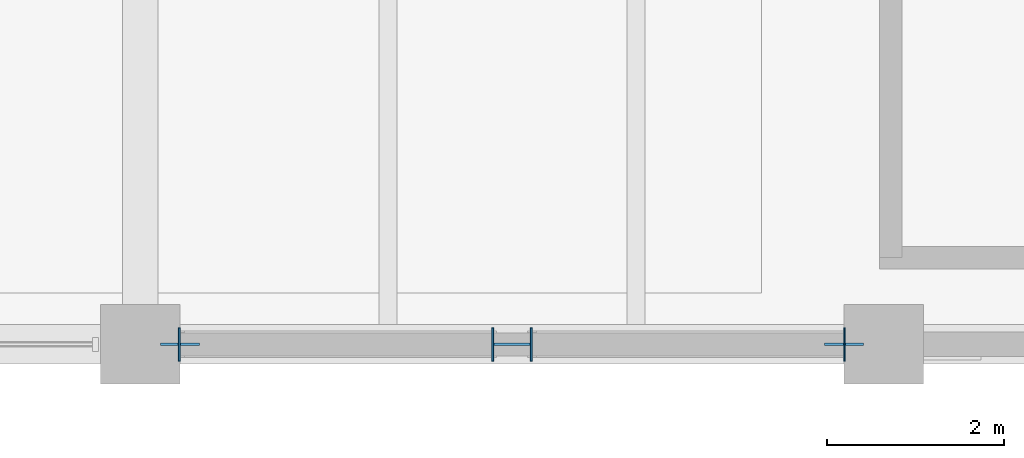
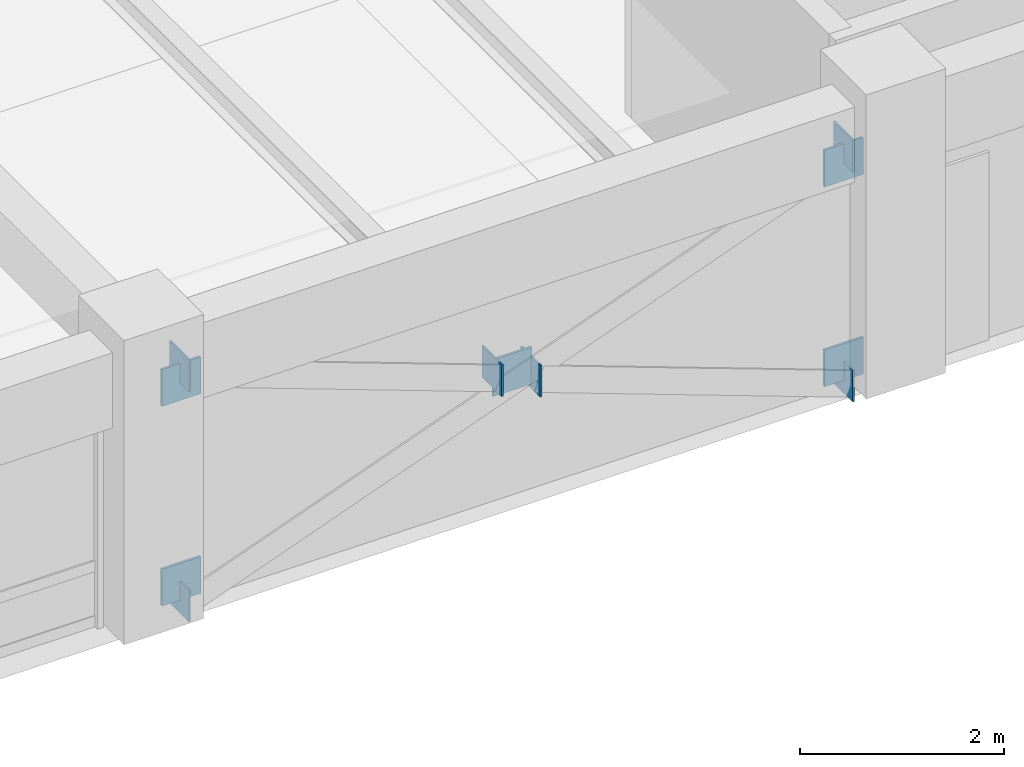
# One storey, part 60 of 118: 11 plates.
"""IFC4 building model written with IfcOpenShell, lengths in metres."""

from ifc_helpers import new_model, si_unit, direction, frame, origin, origin_2d, place, context, subcontext, project, spatial, rectangle, extrude, material, layer, layer_set, type_object, element, save


model = new_model("IFC4")

# Units and contexts
model_context = context("Model", 3, precision=1e-05, world=origin(), true_north=direction((0.0, 1.0)))
body_context = subcontext(model_context, "Body", "Model", "MODEL_VIEW")
ifc_project = project(units=[si_unit("LENGTHUNIT", "METRE"), si_unit("AREAUNIT", "SQUARE_METRE"), si_unit("VOLUMEUNIT", "CUBIC_METRE"), si_unit("PLANEANGLEUNIT", "RADIAN"), si_unit("MASSUNIT", "GRAM", prefix="KILO")], contexts=[model_context])

# Site, building, storey
site_placement = place(None, origin())
site = spatial("IfcSite", under=ifc_project, at=site_placement, CompositionType="ELEMENT")
building_placement = place(site_placement, origin())
building = spatial("IfcBuilding", under=site, at=building_placement, Name="Cumbredor Promenade Congress Hotel", CompositionType="ELEMENT")
storey_placement = place(building_placement, frame((0.0, 0.0, 3.919921875)))
storey = spatial("IfcBuildingStorey", under=building, at=storey_placement, Name="L01", CompositionType="ELEMENT", Elevation=3.919921875)

# Plates
ifc_material = material(Name="Steel ASTM A572 Grade 50", Category="steel")
ifc_layer_1 = layer(ifc_material, 0.02001953125, Name="Steel ASTM A572 Grade 50", Category="steel")
ifc_layer_set_1 = layer_set([ifc_layer_1], Name="Steel ASTM A572 Grade 50")
plate_type_1 = type_object("IfcPlateType", Name="Hollow Section End Cap Plate CP-04", PredefinedType="USERDEFINED", material=ifc_layer_set_1)
for number, where, z_axis, x_axis, name in (
    (1, (50.842529296875, 8.39990234375, -0.192626953125), (0.0, 0.0, 1.0), (1.0, 0.0, 0.0), "L01 X-Brace Continuous Diagonal 14A Start Cap Plate"),
    (2, (58.357421875, 8.39990234375, 2.56298828125), (0.0, 0.0, 1.0), (1.0, 0.0, 0.0), "L01 X-Brace Continuous Diagonal 14A End Cap Plate"),
    (3, (58.357421875, 8.39990234375, -0.192626953125), (0.0, 0.0, 1.0), (-1.0, 0.0, 0.0), "L01 X-Brace Lower Split Diagonal 14B1 Start Cap Plate"),
    (4, (54.81787109375, 8.39990234375, 1.105224609375), (0.0, 0.0, 1.0), (-1.0, 0.0, 0.0), "L01 X-Brace Lower Split Diagonal 14B1 End Cap Plate"),
    (5, (54.38232421875, 8.39990234375, 1.264892578125), (0.0, 0.0, 1.0), (-1.0, 0.0, 0.0), "L01 X-Brace Upper Split Diagonal 14B2 Start Cap Plate"),
    (6, (50.842529296875, 8.39990234375, 2.56298828125), (0.0, 0.0, 1.0), (-1.0, 0.0, 0.0), "L01 X-Brace Upper Split Diagonal 14B2 End Cap Plate"),
):
    element("IfcPlate", number, at=place(storey_placement, frame(where, z_axis=z_axis, x_axis=x_axis)), inside=storey, type_object=plate_type_1, Name=name, ObjectType="CAP PLATE", PredefinedType="USERDEFINED", context=body_context, shape_type="SweptSolid", body=[
        extrude(rectangle(XDim=0.02001953125, YDim=0.3798828125, at=origin_2d()), origin(), (0.0, 0.0, 1.0), 0.3798828125),
    ])
ifc_layer_2 = layer(ifc_material, 0.028076171875, Name="Steel ASTM A572 Grade 50", Category="steel")
ifc_layer_set_2 = layer_set([ifc_layer_2], Name="Steel ASTM A572 Grade 50")
plate_type_2 = type_object("IfcPlateType", Name="Space Frame Node Assembly ND-03", PredefinedType="USERDEFINED", material=ifc_layer_set_2)
for number, where, z_axis, x_axis, name in (
    (7, (50.85009765625, 8.39990234375, -0.039794921875), (0.0, 0.0, 1.0), (1.0, 0.0, 0.0), "L01 Seismic Frame Gusset Plate 14-BL"),
    (8, (58.35009765625, 8.39990234375, -0.039794921875), (0.0, 0.0, 1.0), (1.0, 0.0, 0.0), "L01 Seismic Frame Gusset Plate 14-BR"),
    (9, (50.85009765625, 8.39990234375, 2.35009765625), (0.0, 0.0, 1.0), (1.0, 0.0, 0.0), "L01 Seismic Frame Gusset Plate 14-TL"),
    (10, (58.35009765625, 8.39990234375, 2.35009765625), (0.0, 0.0, 1.0), (1.0, 0.0, 0.0), "L01 Seismic Frame Gusset Plate 14-TR"),
    (11, (54.60009765625, 8.39990234375, 1.155029296875), (0.0, 0.0, 1.0), (1.0, 0.0, 0.0), "L01 X-Brace Central Crossing Gusset Plate 14"),
):
    element("IfcPlate", number, at=place(storey_placement, frame(where, z_axis=z_axis, x_axis=x_axis)), inside=storey, type_object=plate_type_2, Name=name, ObjectType="GUSSET PLATE", PredefinedType="USERDEFINED", context=body_context, shape_type="SweptSolid", body=[
        extrude(rectangle(XDim=0.43994140625, YDim=0.028076171875, at=origin_2d()), origin(), (0.0, 0.0, 1.0), 0.43994140625),
    ])

save(model, "model.ifc")
